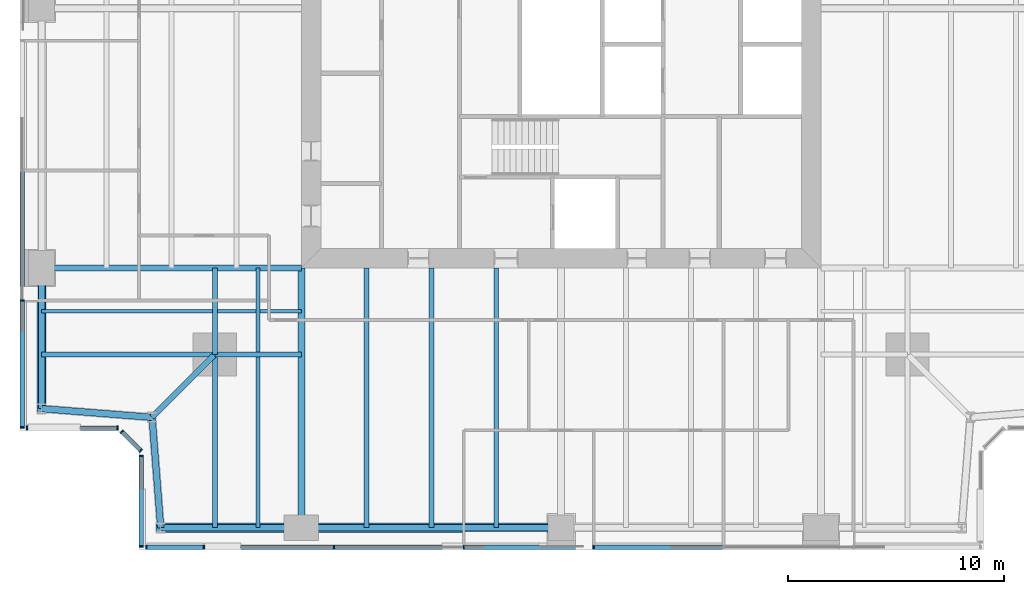
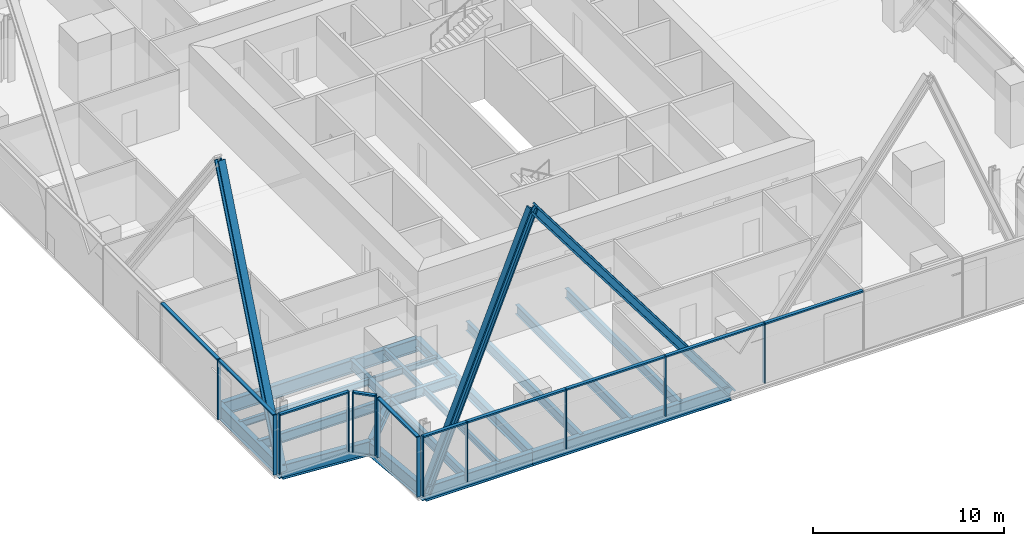
# One storey, part 2 of 14: 26 members, 20 beams, 5 elements without a shape of their own.
"""IFC4 building model written with IfcOpenShell, lengths in metres."""

from ifc_helpers import new_model, si_unit, direction, frame, origin, origin_2d, place, context, subcontext, project, spatial, rectangle, i_section, extrude, material, material_profile, profile_set, type_object, element, aggregate, save


model = new_model("IFC4")

# Units and contexts
model_context = context("Model", 3, precision=1e-05, world=origin(), true_north=direction((0.0, 1.0)))
body_context = subcontext(model_context, "Body", "Model", "MODEL_VIEW")
ifc_project = project(units=[si_unit("LENGTHUNIT", "METRE"), si_unit("AREAUNIT", "SQUARE_METRE"), si_unit("VOLUMEUNIT", "CUBIC_METRE"), si_unit("PLANEANGLEUNIT", "RADIAN"), si_unit("MASSUNIT", "GRAM", prefix="KILO")], contexts=[model_context])

# Site, building, storey
site_placement = place(None, origin())
site = spatial("IfcSite", under=ifc_project, at=site_placement, CompositionType="ELEMENT")
building_placement = place(site_placement, origin())
building = spatial("IfcBuilding", under=site, at=building_placement, Name="Fenwick Lantern Interchange", CompositionType="ELEMENT")
storey_placement = place(building_placement, frame((0.0, 0.0, 185.800048828125)))
storey = spatial("IfcBuildingStorey", under=building, at=storey_placement, Name="L43", CompositionType="ELEMENT", Elevation=185.800048828125)

# Beams
ifc_material_1 = material(Name="Steel ASTM A992 Grade 50", Category="steel")
ifc_material_profile_1 = material_profile(ifc_material_1, i_section(OverallWidth=0.3046875, OverallDepth=0.911865234375, WebThickness=0.015869140625, FlangeThickness=0.02392578125, at=origin_2d()), Name="W36X150")
ifc_profile_set_1 = profile_set([ifc_material_profile_1], Name="Steel ASTM A992 Grade 50")
beam_type_1 = type_object("IfcBeamType", Name="EDGE BEAM W36X150", PredefinedType="SPANDREL", material=ifc_profile_set_1)
beam_1_placement = place(storey_placement, frame((6.5, 1.0, -0.60595703125), z_axis=(1.0, 0.0, 0.0), x_axis=(0.0, 1.0, 0.0)))
element("IfcBeam", 1, at=beam_1_placement, inside=storey, type_object=beam_type_1, Name="L43/FR/S/EB1", PredefinedType="SPANDREL", context=body_context, shape_type="SweptSolid", body=[
    extrude(i_section(OverallWidth=0.3046875, OverallDepth=0.911865234375, WebThickness=0.015869140625, FlangeThickness=0.02392578125, at=origin_2d()), origin(), (0.0, 0.0, 1.0), 6.5),
])
beam_2_placement = place(storey_placement, frame((13.0, 1.0, -0.60595703125), z_axis=(1.0, 0.0, 0.0), x_axis=(0.0, 1.0, 0.0)))
element("IfcBeam", 2, at=beam_2_placement, inside=storey, type_object=beam_type_1, Name="L43/FR/S/EB2", PredefinedType="SPANDREL", context=body_context, shape_type="SweptSolid", body=[
    extrude(i_section(OverallWidth=0.3046875, OverallDepth=0.911865234375, WebThickness=0.015869140625, FlangeThickness=0.02392578125, at=origin_2d()), origin(), (0.0, 0.0, 1.0), 12.0),
])
beam_3_placement = place(storey_placement, frame((1.0, 13.0, -0.60595703125), z_axis=(0.0, -1.0, 0.0), x_axis=(1.0, 0.0, 0.0)))
element("IfcBeam", 3, at=beam_3_placement, inside=storey, type_object=beam_type_1, Name="L43/FR/W/EB4", PredefinedType="SPANDREL", context=body_context, shape_type="SweptSolid", body=[
    extrude(i_section(OverallWidth=0.3046875, OverallDepth=0.911865234375, WebThickness=0.015869140625, FlangeThickness=0.02392578125, at=origin_2d()), origin(), (0.0, 0.0, 1.0), 6.5),
])
for number, where, z_axis, x_axis, name in (
    (4, (1.0, 6.5, -0.60595703125), (0.99693998236, -0.078170784639, 0.0), (0.078170784639, 0.99693998236, 0.0), "L43/FR/W/EBR1"),
    (5, (6.10009765625, 6.10009765625, -0.60595703125), (0.078170784639, -0.99693998236, 0.0), (0.99693998236, 0.078170784639, 0.0), "L43/FR/W/EBR2"),
):
    element("IfcBeam", number, at=place(storey_placement, frame(where, z_axis=z_axis, x_axis=x_axis)), inside=storey, type_object=beam_type_1, Name=name, PredefinedType="SPANDREL", context=body_context, shape_type="SweptSolid", body=[
        extrude(i_section(OverallWidth=0.3046875, OverallDepth=0.911865234375, WebThickness=0.015869140625, FlangeThickness=0.02392578125, at=origin_2d()), origin(), (0.0, 0.0, 1.0), 5.11572265625),
    ])

# Members
ifc_material_profile_2 = material_profile(ifc_material_1, i_section(OverallWidth=0.424072265625, OverallDepth=0.47509765625, WebThickness=0.0478515625, FlangeThickness=0.0771484375, at=origin_2d()), Name="W14X426")
ifc_profile_set_2 = profile_set([ifc_material_profile_2], Name="Steel ASTM A992 Grade 50")
member_type_1 = type_object("IfcMemberType", Name="FACADE BRACE W14X426", PredefinedType="BRACE", material=ifc_profile_set_2)
for number, where, z_axis, x_axis, name in (
    (6, (6.5, 1.0, -0.60595703125), (0.376377046956, 0.0, 0.926466577122), (0.0, 1.0, 0.0), "L43/FB/S/AE"),
    (7, (1.0, 6.5, -0.60595703125), (0.0, 0.376377046956, 0.926466577122), (-1.0, 0.0, 0.0), "L43/FB/W/BE"),
):
    element("IfcMember", number, at=place(storey_placement, frame(where, z_axis=z_axis, x_axis=x_axis)), inside=storey, type_object=member_type_1, Name=name, PredefinedType="BRACE", context=body_context, shape_type="SweptSolid", body=[
        extrude(i_section(OverallWidth=0.424072265625, OverallDepth=0.47509765625, WebThickness=0.0478515625, FlangeThickness=0.0771484375, at=origin_2d()), origin(), (0.0, 0.0, 1.0), 17.27001953125),
    ])
ifc_material_profile_3 = material_profile(ifc_material_1, i_section(OverallWidth=0.44189453125, OverallDepth=0.53076171875, WebThickness=0.06591796875, FlangeThickness=0.105712890625, at=origin_2d()), Name="W14X605")
ifc_profile_set_3 = profile_set([ifc_material_profile_3], Name="Steel ASTM A992 Grade 50")
member_type_2 = type_object("IfcMemberType", Name="FACADE BRACE W14X605", PredefinedType="BRACE", material=ifc_profile_set_3)
member_1_placement = place(storey_placement, frame((25.0, 1.0, -0.60595703125), z_axis=(-0.6, 0.0, 0.8), x_axis=(0.0, -1.0, 0.0)))
element("IfcMember", 8, at=member_1_placement, inside=storey, type_object=member_type_2, Name="L43/FB/S/A", PredefinedType="BRACE", context=body_context, shape_type="SweptSolid", body=[
    extrude(i_section(OverallWidth=0.44189453125, OverallDepth=0.53076171875, WebThickness=0.06591796875, FlangeThickness=0.105712890625, at=origin_2d()), origin(), (0.0, 0.0, 1.0), 20.0),
])

# Beams
ifc_material_profile_4 = material_profile(ifc_material_1, i_section(OverallWidth=0.22900390625, OverallDepth=0.612060546875, WebThickness=0.011962890625, FlangeThickness=0.01953125, at=origin_2d()), Name="W24X84")
ifc_profile_set_4 = profile_set([ifc_material_profile_4], Name="Steel ASTM A992 Grade 50")
beam_type_2 = type_object("IfcBeamType", Name="FLOOR BEAM W24X84", PredefinedType="BEAM", material=ifc_profile_set_4)
for number, where, z_axis, x_axis, name in (
    (9, (16.0, 1.0, -0.4560546875), (0.0, 1.0, 0.0), (-1.0, 0.0, 0.0), "L43/FR/S/R02"),
    (10, (19.0, 1.0, -0.4560546875), (0.0, 1.0, 0.0), (-1.0, 0.0, 0.0), "L43/FR/S/R03"),
    (11, (22.0, 1.0, -0.4560546875), (0.0, 1.0, 0.0), (-1.0, 0.0, 0.0), "L43/FR/S/R04"),
):
    element("IfcBeam", number, at=place(storey_placement, frame(where, z_axis=z_axis, x_axis=x_axis)), inside=storey, type_object=beam_type_2, Name=name, PredefinedType="BEAM", context=body_context, shape_type="SweptSolid", body=[
        extrude(i_section(OverallWidth=0.22900390625, OverallDepth=0.612060546875, WebThickness=0.011962890625, FlangeThickness=0.01953125, at=origin_2d()), origin(), (0.0, 0.0, 1.0), 12.0),
    ])
ifc_material_profile_5 = material_profile(ifc_material_1, i_section(OverallWidth=0.177734375, OverallDepth=0.406494140625, WebThickness=0.0078125, FlangeThickness=0.012939453125, at=origin_2d()), Name="W16X40")
ifc_profile_set_5 = profile_set([ifc_material_profile_5], Name="Steel ASTM A992 Grade 50")
beam_type_3 = type_object("IfcBeamType", Name="INFILL BEAM W16X40", PredefinedType="JOIST", material=ifc_profile_set_5)
beam_4_placement = place(storey_placement, frame((11.0, 1.0, -0.353271484375), z_axis=(0.0, 1.0, 0.0), x_axis=(-1.0, 0.0, 0.0)))
element("IfcBeam", 12, at=beam_4_placement, inside=storey, type_object=beam_type_3, Name="L43/FR/S/J1", PredefinedType="JOIST", context=body_context, shape_type="SweptSolid", body=[
    extrude(i_section(OverallWidth=0.177734375, OverallDepth=0.406494140625, WebThickness=0.0078125, FlangeThickness=0.012939453125, at=origin_2d()), origin(), (0.0, 0.0, 1.0), 7.885498046875),
])
beam_5_placement = place(storey_placement, frame((11.0, 9.114501953125, -0.353271484375), z_axis=(0.0, 1.0, 0.0), x_axis=(-1.0, 0.0, 0.0)))
element("IfcBeam", 13, at=beam_5_placement, inside=storey, type_object=beam_type_3, Name="L43/FR/S/J2", PredefinedType="JOIST", context=body_context, shape_type="SweptSolid", body=[
    extrude(i_section(OverallWidth=0.177734375, OverallDepth=0.406494140625, WebThickness=0.0078125, FlangeThickness=0.012939453125, at=origin_2d()), origin(), (0.0, 0.0, 1.0), 3.885498046875),
])
beam_6_placement = place(storey_placement, frame((1.0, 11.0, -0.353271484375), z_axis=(1.0, 0.0, 0.0), x_axis=(0.0, 1.0, 0.0)))
element("IfcBeam", 14, at=beam_6_placement, inside=storey, type_object=beam_type_3, Name="L43/FR/S/J3", PredefinedType="JOIST", context=body_context, shape_type="SweptSolid", body=[
    extrude(i_section(OverallWidth=0.177734375, OverallDepth=0.406494140625, WebThickness=0.0078125, FlangeThickness=0.012939453125, at=origin_2d()), origin(), (0.0, 0.0, 1.0), 7.885498046875),
])
beam_7_placement = place(storey_placement, frame((9.114501953125, 11.0, -0.353271484375), z_axis=(1.0, 0.0, 0.0), x_axis=(0.0, 1.0, 0.0)))
element("IfcBeam", 15, at=beam_7_placement, inside=storey, type_object=beam_type_3, Name="L43/FR/S/J4", PredefinedType="JOIST", context=body_context, shape_type="SweptSolid", body=[
    extrude(i_section(OverallWidth=0.177734375, OverallDepth=0.406494140625, WebThickness=0.0078125, FlangeThickness=0.012939453125, at=origin_2d()), origin(), (0.0, 0.0, 1.0), 1.796630859375),
])
beam_8_placement = place(storey_placement, frame((11.0888671875, 11.0, -0.353271484375), z_axis=(1.0, 0.0, 0.0), x_axis=(0.0, 1.0, 0.0)))
element("IfcBeam", 16, at=beam_8_placement, inside=storey, type_object=beam_type_3, Name="L43/FR/S/J5", PredefinedType="JOIST", context=body_context, shape_type="SweptSolid", body=[
    extrude(i_section(OverallWidth=0.177734375, OverallDepth=0.406494140625, WebThickness=0.0078125, FlangeThickness=0.012939453125, at=origin_2d()), origin(), (0.0, 0.0, 1.0), 1.9111328125),
])
ifc_material_profile_6 = material_profile(ifc_material_1, i_section(OverallWidth=0.22900390625, OverallDepth=0.612060546875, WebThickness=0.011962890625, FlangeThickness=0.01953125, at=origin_2d()), Name="W24X84")
ifc_profile_set_6 = profile_set([ifc_material_profile_6], Name="Steel ASTM A992 Grade 50")
beam_type_4 = type_object("IfcBeamType", Name="MEGA COLUMN BEAM W24X84", PredefinedType="BEAM", material=ifc_profile_set_6)
for number, where, z_axis, x_axis, name in (
    (17, (9.0, 9.0, -0.4560546875), (0.0, -1.0, 0.0), (1.0, 0.0, 0.0), "L43/FR/S/MB1"),
    (18, (9.0, 9.0, -0.4560546875), (-1.0, 0.0, 0.0), (0.0, -1.0, 0.0), "L43/FR/S/MB2"),
):
    element("IfcBeam", number, at=place(storey_placement, frame(where, z_axis=z_axis, x_axis=x_axis)), inside=storey, type_object=beam_type_4, Name=name, PredefinedType="BEAM", context=body_context, shape_type="SweptSolid", body=[
        extrude(i_section(OverallWidth=0.22900390625, OverallDepth=0.612060546875, WebThickness=0.011962890625, FlangeThickness=0.01953125, at=origin_2d()), origin(), (0.0, 0.0, 1.0), 8.0),
    ])
for number, where, z_axis, x_axis, name in (
    (19, (9.0, 9.0, -0.4560546875), (1.0, 0.0, 0.0), (0.0, 1.0, 0.0), "L43/FR/S/MB3"),
    (20, (9.0, 9.0, -0.4560546875), (0.0, 1.0, 0.0), (-1.0, 0.0, 0.0), "L43/FR/S/MB4"),
):
    element("IfcBeam", number, at=place(storey_placement, frame(where, z_axis=z_axis, x_axis=x_axis)), inside=storey, type_object=beam_type_4, Name=name, PredefinedType="BEAM", context=body_context, shape_type="SweptSolid", body=[
        extrude(i_section(OverallWidth=0.22900390625, OverallDepth=0.612060546875, WebThickness=0.011962890625, FlangeThickness=0.01953125, at=origin_2d()), origin(), (0.0, 0.0, 1.0), 4.0),
    ])
ifc_material_profile_7 = material_profile(ifc_material_1, i_section(OverallWidth=0.32763671875, OverallDepth=0.622314453125, WebThickness=0.015380859375, FlangeThickness=0.0244140625, at=origin_2d()), Name="W24X131")
ifc_profile_set_7 = profile_set([ifc_material_profile_7], Name="Steel ASTM A992 Grade 50")
beam_type_5 = type_object("IfcBeamType", Name="MOMENT-CONNECTED GIRDER W24X131", PredefinedType="BEAM", material=ifc_profile_set_7)
beam_9_placement = place(storey_placement, frame((13.0, 1.0, -0.461181640625), z_axis=(0.0, 1.0, 0.0), x_axis=(-1.0, 0.0, 0.0)))
element("IfcBeam", 21, at=beam_9_placement, inside=storey, type_object=beam_type_5, Name="L43/FR/S/R01", PredefinedType="BEAM", context=body_context, shape_type="SweptSolid", body=[
    extrude(i_section(OverallWidth=0.32763671875, OverallDepth=0.622314453125, WebThickness=0.015380859375, FlangeThickness=0.0244140625, at=origin_2d()), origin(), (0.0, 0.0, 1.0), 12.0),
])
ifc_material_profile_8 = material_profile(ifc_material_1, i_section(OverallWidth=0.2919921875, OverallDepth=0.845703125, WebThickness=0.015380859375, FlangeThickness=0.0244140625, at=origin_2d()), Name="W33X141")
ifc_profile_set_8 = profile_set([ifc_material_profile_8], Name="Steel ASTM A992 Grade 50")
beam_type_6 = type_object("IfcBeamType", Name="MOMENT-CONNECTED GIRDER W33X141", PredefinedType="BEAM", material=ifc_profile_set_8)
beam_10_placement = place(storey_placement, frame((1.0, 13.0, -0.572998046875), z_axis=(1.0, 0.0, 0.0), x_axis=(0.0, 1.0, 0.0)))
element("IfcBeam", 22, at=beam_10_placement, inside=storey, type_object=beam_type_6, Name="L43/FR/W/R03", PredefinedType="BEAM", context=body_context, shape_type="SweptSolid", body=[
    extrude(i_section(OverallWidth=0.2919921875, OverallDepth=0.845703125, WebThickness=0.015380859375, FlangeThickness=0.0244140625, at=origin_2d()), origin(), (0.0, 0.0, 1.0), 12.0),
])
ifc_material_profile_9 = material_profile(ifc_material_1, i_section(OverallWidth=0.2666015625, OverallDepth=0.7568359375, WebThickness=0.013916015625, FlangeThickness=0.019287109375, at=origin_2d()), Name="W30X108")
ifc_profile_set_9 = profile_set([ifc_material_profile_9], Name="Steel ASTM A992 Grade 50")
beam_type_7 = type_object("IfcBeamType", Name="NOTCH BEAM W30X108", PredefinedType="BEAM", material=ifc_profile_set_9)
beam_11_placement = place(storey_placement, frame((9.0, 9.0, -0.528564453125), z_axis=(-0.707106781187, -0.707106781187, 0.0), x_axis=(0.707106781187, -0.707106781187, 0.0)))
element("IfcBeam", 23, at=beam_11_placement, inside=storey, type_object=beam_type_7, Name="L43/FR/S/TG", PredefinedType="BEAM", context=body_context, shape_type="SweptSolid", body=[
    extrude(i_section(OverallWidth=0.2666015625, OverallDepth=0.7568359375, WebThickness=0.013916015625, FlangeThickness=0.019287109375, at=origin_2d()), origin(), (0.0, 0.0, 1.0), 4.10107421875),
])

# Curtain wall, members
ifc_material_2 = material(Name="Aluminium curtain wall frame", Category="aluminium")
curtain_wall_type = type_object("IfcCurtainWallType", Name="OFFICE CURTAIN WALL", PredefinedType="USERDEFINED", material=ifc_material_2)
curtain_wall_1_placement = place(storey_placement, origin())
curtain_wall_1 = element("IfcCurtainWall", 24, at=curtain_wall_1_placement, inside=storey, type_object=curtain_wall_type, Name="Office curtain wall 01", ObjectType="OFFICE CURTAIN WALL", PredefinedType="USERDEFINED")
ifc_material_3 = material(Name="Aluminium extrusion", Category="aluminium")
ifc_material_profile_10 = material_profile(ifc_material_3, rectangle(XDim=0.199951171875, YDim=0.06494140625, at=origin_2d()), Name="OFFICE CURTAIN WALL MULLION 65 X 200")
ifc_profile_set_10 = profile_set([ifc_material_profile_10], Name="Aluminium extrusion")
member_type_3 = type_object("IfcMemberType", Name="OFFICE CURTAIN WALL MULLION 65 X 200", PredefinedType="MULLION", material=ifc_profile_set_10)
member_2_placement = place(storey_placement, frame((5.83251953125, 0.10009765625, 0.0), z_axis=(0.0, 0.0, 1.0), x_axis=(0.0, 1.0, 0.0)))
member_2 = element("IfcMember", 25, at=member_2_placement, type_object=member_type_3, Name="L43/CW/01/M00", PredefinedType="MULLION", context=body_context, shape_type="SweptSolid", body=[
    extrude(rectangle(XDim=0.199951171875, YDim=0.06494140625, at=origin_2d()), origin(), (0.0, 0.0, 1.0), 3.849853515625),
])
member_3_placement = place(storey_placement, frame((8.5, 0.10009765625, 0.0), z_axis=(0.0, 0.0, 1.0), x_axis=(0.0, 1.0, 0.0)))
member_3 = element("IfcMember", 26, at=member_3_placement, type_object=member_type_3, Name="L43/CW/01/M01", PredefinedType="MULLION", context=body_context, shape_type="SweptSolid", body=[
    extrude(rectangle(XDim=0.199951171875, YDim=0.06494140625, at=origin_2d()), origin(), (0.0, 0.0, 1.0), 3.849853515625),
])
member_4_placement = place(storey_placement, frame((14.5, 0.10009765625, 0.0), z_axis=(0.0, 0.0, 1.0), x_axis=(0.0, 1.0, 0.0)))
member_4 = element("IfcMember", 27, at=member_4_placement, type_object=member_type_3, Name="L43/CW/01/M02", PredefinedType="MULLION", context=body_context, shape_type="SweptSolid", body=[
    extrude(rectangle(XDim=0.199951171875, YDim=0.06494140625, at=origin_2d()), origin(), (0.0, 0.0, 1.0), 3.849853515625),
])
member_5_placement = place(storey_placement, frame((20.5, 0.10009765625, 0.0), z_axis=(0.0, 0.0, 1.0), x_axis=(0.0, 1.0, 0.0)))
member_5 = element("IfcMember", 28, at=member_5_placement, type_object=member_type_3, Name="L43/CW/01/M03", PredefinedType="MULLION", context=body_context, shape_type="SweptSolid", body=[
    extrude(rectangle(XDim=0.199951171875, YDim=0.06494140625, at=origin_2d()), origin(), (0.0, 0.0, 1.0), 3.849853515625),
])
member_6_placement = place(storey_placement, frame((26.5, 0.10009765625, 0.0), z_axis=(0.0, 0.0, 1.0), x_axis=(0.0, 1.0, 0.0)))
member_6 = element("IfcMember", 29, at=member_6_placement, type_object=member_type_3, Name="L43/CW/01/M04", PredefinedType="MULLION", context=body_context, shape_type="SweptSolid", body=[
    extrude(rectangle(XDim=0.199951171875, YDim=0.06494140625, at=origin_2d()), origin(), (0.0, 0.0, 1.0), 3.849853515625),
])

curtain_wall_2_placement = place(storey_placement, origin())
curtain_wall_2 = element("IfcCurtainWall", 30, at=curtain_wall_2_placement, inside=storey, type_object=curtain_wall_type, Name="Office curtain wall 13", ObjectType="OFFICE CURTAIN WALL", PredefinedType="USERDEFINED")
member_7_placement = place(storey_placement, frame((0.10009765625, 11.5, 0.0), z_axis=(0.0, 0.0, 1.0), x_axis=(1.0, 0.0, 0.0)))
member_7 = element("IfcMember", 31, at=member_7_placement, type_object=member_type_3, Name="L43/CW/13/M06", PredefinedType="MULLION", context=body_context, shape_type="SweptSolid", body=[
    extrude(rectangle(XDim=0.199951171875, YDim=0.06494140625, at=origin_2d()), origin(), (0.0, 0.0, 1.0), 3.849853515625),
])
member_8_placement = place(storey_placement, frame((0.10009765625, 5.632568359375, 0.0), z_axis=(0.0, 0.0, 1.0), x_axis=(1.0, 0.0, 0.0)))
member_8 = element("IfcMember", 32, at=member_8_placement, type_object=member_type_3, Name="L43/CW/13/M07", PredefinedType="MULLION", context=body_context, shape_type="SweptSolid", body=[
    extrude(rectangle(XDim=0.199951171875, YDim=0.06494140625, at=origin_2d()), origin(), (0.0, 0.0, 1.0), 3.849853515625),
])

curtain_wall_3_placement = place(storey_placement, origin())
curtain_wall_3 = element("IfcCurtainWall", 33, at=curtain_wall_3_placement, inside=storey, type_object=curtain_wall_type, Name="Office curtain wall 14", ObjectType="OFFICE CURTAIN WALL", PredefinedType="USERDEFINED")
member_9_placement = place(storey_placement, frame((0.33251953125, 5.60009765625, 0.0), z_axis=(0.0, 0.0, 1.0), x_axis=(0.0, 1.0, 0.0)))
member_9 = element("IfcMember", 34, at=member_9_placement, type_object=member_type_3, Name="L43/CW/14/M00", PredefinedType="MULLION", context=body_context, shape_type="SweptSolid", body=[
    extrude(rectangle(XDim=0.199951171875, YDim=0.06494140625, at=origin_2d()), origin(), (0.0, 0.0, 1.0), 3.849853515625),
])
member_10_placement = place(storey_placement, frame((4.509033203125, 5.60009765625, 0.0), z_axis=(0.0, 0.0, 1.0), x_axis=(0.0, 1.0, 0.0)))
member_10 = element("IfcMember", 35, at=member_10_placement, type_object=member_type_3, Name="L43/CW/14/M01", PredefinedType="MULLION", context=body_context, shape_type="SweptSolid", body=[
    extrude(rectangle(XDim=0.199951171875, YDim=0.06494140625, at=origin_2d()), origin(), (0.0, 0.0, 1.0), 3.849853515625),
])

curtain_wall_4_placement = place(storey_placement, origin())
curtain_wall_4 = element("IfcCurtainWall", 36, at=curtain_wall_4_placement, inside=storey, type_object=curtain_wall_type, Name="Office curtain wall 15", ObjectType="OFFICE CURTAIN WALL", PredefinedType="USERDEFINED")
member_11_placement = place(storey_placement, frame((4.705810546875, 5.435546875, 0.0), z_axis=(0.0, 0.0, 1.0), x_axis=(0.707106781187, 0.707106781187, 0.0)))
member_11 = element("IfcMember", 37, at=member_11_placement, type_object=member_type_3, Name="L43/CW/15/M00", PredefinedType="MULLION", context=body_context, shape_type="SweptSolid", body=[
    extrude(rectangle(XDim=0.199951171875, YDim=0.06494140625, at=origin_2d()), origin(), (0.0, 0.0, 1.0), 3.849853515625),
])
member_12_placement = place(storey_placement, frame((5.576904296875, 4.564453125, 0.0), z_axis=(0.0, 0.0, 1.0), x_axis=(0.707106781187, 0.707106781187, 0.0)))
member_12 = element("IfcMember", 38, at=member_12_placement, type_object=member_type_3, Name="L43/CW/15/M01", PredefinedType="MULLION", context=body_context, shape_type="SweptSolid", body=[
    extrude(rectangle(XDim=0.199951171875, YDim=0.06494140625, at=origin_2d()), origin(), (0.0, 0.0, 1.0), 3.849853515625),
])

curtain_wall_5_placement = place(storey_placement, origin())
curtain_wall_5 = element("IfcCurtainWall", 39, at=curtain_wall_5_placement, inside=storey, type_object=curtain_wall_type, Name="Office curtain wall 16", ObjectType="OFFICE CURTAIN WALL", PredefinedType="USERDEFINED")
member_13_placement = place(storey_placement, frame((5.60009765625, 4.308837890625, 0.0), z_axis=(0.0, 0.0, 1.0), x_axis=(1.0, 0.0, 0.0)))
member_13 = element("IfcMember", 40, at=member_13_placement, type_object=member_type_3, Name="L43/CW/16/M00", PredefinedType="MULLION", context=body_context, shape_type="SweptSolid", body=[
    extrude(rectangle(XDim=0.199951171875, YDim=0.06494140625, at=origin_2d()), origin(), (0.0, 0.0, 1.0), 3.849853515625),
])
member_14_placement = place(storey_placement, frame((5.60009765625, 0.132568359375, 0.0), z_axis=(0.0, 0.0, 1.0), x_axis=(1.0, 0.0, 0.0)))
member_14 = element("IfcMember", 41, at=member_14_placement, type_object=member_type_3, Name="L43/CW/16/M01", PredefinedType="MULLION", context=body_context, shape_type="SweptSolid", body=[
    extrude(rectangle(XDim=0.199951171875, YDim=0.06494140625, at=origin_2d()), origin(), (0.0, 0.0, 1.0), 3.849853515625),
])

# Member
ifc_material_profile_11 = material_profile(ifc_material_3, rectangle(XDim=0.199951171875, YDim=0.10009765625, at=origin_2d()), Name="OFFICE CURTAIN WALL TRANSOM 100 X 200")
ifc_profile_set_11 = profile_set([ifc_material_profile_11], Name="Aluminium extrusion")
member_type_4 = type_object("IfcMemberType", Name="OFFICE CURTAIN WALL TRANSOM 100 X 200", PredefinedType="MULLION", material=ifc_profile_set_11)
member_15_placement = place(storey_placement, frame((5.864990234375, 0.10009765625, 3.800048828125), z_axis=(1.0, 0.0, 0.0), x_axis=(0.0, 1.0, 0.0)))
member_15 = element("IfcMember", 42, at=member_15_placement, type_object=member_type_4, Name="L43/CW/01/T00", PredefinedType="MULLION", context=body_context, shape_type="SweptSolid", body=[
    extrude(rectangle(XDim=0.199951171875, YDim=0.10009765625, at=origin_2d()), origin(), (0.0, 0.0, 1.0), 2.6025390625),
])

member_16_placement = place(storey_placement, frame((8.532470703125, 0.10009765625, 3.800048828125), z_axis=(1.0, 0.0, 0.0), x_axis=(0.0, 1.0, 0.0)))
member_16 = element("IfcMember", 43, at=member_16_placement, type_object=member_type_4, Name="L43/CW/01/T01", PredefinedType="MULLION", context=body_context, shape_type="SweptSolid", body=[
    extrude(rectangle(XDim=0.199951171875, YDim=0.10009765625, at=origin_2d()), origin(), (0.0, 0.0, 1.0), 5.93505859375),
])

member_17_placement = place(storey_placement, frame((14.532470703125, 0.10009765625, 3.800048828125), z_axis=(1.0, 0.0, 0.0), x_axis=(0.0, 1.0, 0.0)))
member_17 = element("IfcMember", 44, at=member_17_placement, type_object=member_type_4, Name="L43/CW/01/T02", PredefinedType="MULLION", context=body_context, shape_type="SweptSolid", body=[
    extrude(rectangle(XDim=0.199951171875, YDim=0.10009765625, at=origin_2d()), origin(), (0.0, 0.0, 1.0), 5.93505859375),
])

member_18_placement = place(storey_placement, frame((20.532470703125, 0.10009765625, 3.800048828125), z_axis=(1.0, 0.0, 0.0), x_axis=(0.0, 1.0, 0.0)))
member_18 = element("IfcMember", 45, at=member_18_placement, type_object=member_type_4, Name="L43/CW/01/T03", PredefinedType="MULLION", context=body_context, shape_type="SweptSolid", body=[
    extrude(rectangle(XDim=0.199951171875, YDim=0.10009765625, at=origin_2d()), origin(), (0.0, 0.0, 1.0), 5.93505859375),
])

member_19_placement = place(storey_placement, frame((26.532470703125, 0.10009765625, 3.800048828125), z_axis=(1.0, 0.0, 0.0), x_axis=(0.0, 1.0, 0.0)))
member_19 = element("IfcMember", 46, at=member_19_placement, type_object=member_type_4, Name="L43/CW/01/T04", PredefinedType="MULLION", context=body_context, shape_type="SweptSolid", body=[
    extrude(rectangle(XDim=0.199951171875, YDim=0.10009765625, at=origin_2d()), origin(), (0.0, 0.0, 1.0), 5.93505859375),
])

aggregate(curtain_wall_1, [member_2, member_3, member_4, member_5, member_6, member_15, member_16, member_17, member_18, member_19])

member_20_placement = place(storey_placement, frame((0.10009765625, 17.467529296875, 3.800048828125), z_axis=(0.0, -1.0, 0.0), x_axis=(1.0, 0.0, 0.0)))
member_20 = element("IfcMember", 47, at=member_20_placement, type_object=member_type_4, Name="L43/CW/13/T05", PredefinedType="MULLION", context=body_context, shape_type="SweptSolid", body=[
    extrude(rectangle(XDim=0.199951171875, YDim=0.10009765625, at=origin_2d()), origin(), (0.0, 0.0, 1.0), 5.93505859375),
])

member_21_placement = place(storey_placement, frame((0.10009765625, 11.467529296875, 3.800048828125), z_axis=(0.0, -1.0, 0.0), x_axis=(1.0, 0.0, 0.0)))
member_21 = element("IfcMember", 48, at=member_21_placement, type_object=member_type_4, Name="L43/CW/13/T06", PredefinedType="MULLION", context=body_context, shape_type="SweptSolid", body=[
    extrude(rectangle(XDim=0.199951171875, YDim=0.10009765625, at=origin_2d()), origin(), (0.0, 0.0, 1.0), 5.802490234375),
])

aggregate(curtain_wall_2, [member_7, member_8, member_20, member_21])

member_22_placement = place(storey_placement, frame((0.364990234375, 5.60009765625, 3.800048828125), z_axis=(1.0, 0.0, 0.0), x_axis=(0.0, 1.0, 0.0)))
member_22 = element("IfcMember", 49, at=member_22_placement, type_object=member_type_4, Name="L43/CW/14/T00", PredefinedType="MULLION", context=body_context, shape_type="SweptSolid", body=[
    extrude(rectangle(XDim=0.199951171875, YDim=0.10009765625, at=origin_2d()), origin(), (0.0, 0.0, 1.0), 4.111328125),
])

aggregate(curtain_wall_3, [member_9, member_10, member_22])

member_23_placement = place(storey_placement, frame((4.728759765625, 5.41259765625, 3.800048828125), z_axis=(0.707106781187, -0.707106781187, 0.0), x_axis=(0.707106781187, 0.707106781187, 0.0)))
member_23 = element("IfcMember", 50, at=member_23_placement, type_object=member_type_4, Name="L43/CW/15/T00", PredefinedType="MULLION", context=body_context, shape_type="SweptSolid", body=[
    extrude(rectangle(XDim=0.199951171875, YDim=0.10009765625, at=origin_2d()), origin(), (0.0, 0.0, 1.0), 1.1669921875),
])

aggregate(curtain_wall_4, [member_11, member_12, member_23])

member_24_placement = place(storey_placement, frame((5.60009765625, 4.2763671875, 3.800048828125), z_axis=(0.0, -1.0, 0.0), x_axis=(1.0, 0.0, 0.0)))
member_24 = element("IfcMember", 51, at=member_24_placement, type_object=member_type_4, Name="L43/CW/16/T00", PredefinedType="MULLION", context=body_context, shape_type="SweptSolid", body=[
    extrude(rectangle(XDim=0.199951171875, YDim=0.10009765625, at=origin_2d()), origin(), (0.0, 0.0, 1.0), 4.111328125),
])

aggregate(curtain_wall_5, [member_13, member_14, member_24])

save(model, "model.ifc")
